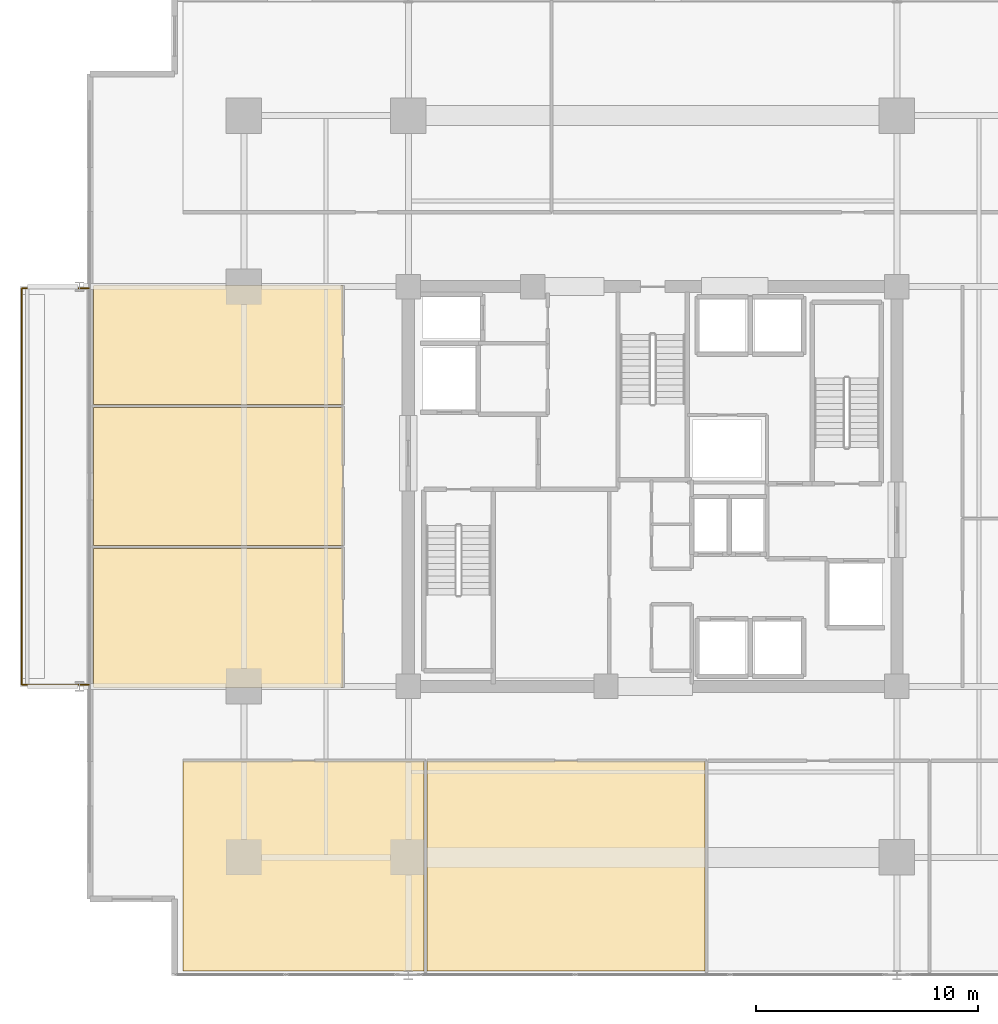
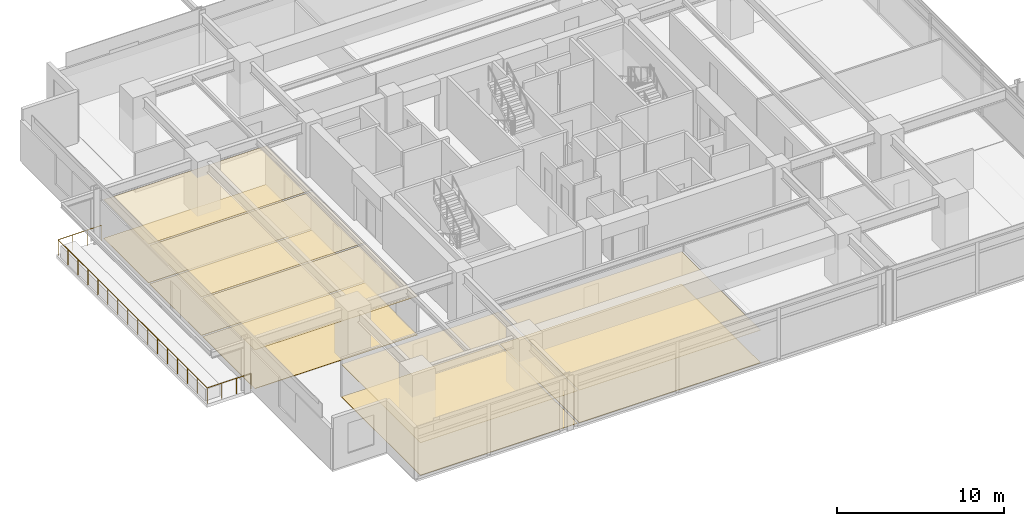
# One storey, part 17 of 20: 10 coverings, 1 railing.
"""IFC4 building model written with IfcOpenShell, lengths in metres."""

from ifc_helpers import new_model, si_unit, direction, frame, origin, origin_2d, place, context, subcontext, project, spatial, polyline, circle, outline, extrude, material, layer, layer_set, type_object, element, save


model = new_model("IFC4")

# Units and contexts
model_context = context("Model", 3, precision=1e-05, world=origin(), true_north=direction((0.0, 1.0)))
body_context = subcontext(model_context, "Body", "Model", "MODEL_VIEW")
ifc_project = project(units=[si_unit("LENGTHUNIT", "METRE"), si_unit("AREAUNIT", "SQUARE_METRE"), si_unit("VOLUMEUNIT", "CUBIC_METRE"), si_unit("PLANEANGLEUNIT", "RADIAN"), si_unit("MASSUNIT", "GRAM", prefix="KILO")], contexts=[model_context])

# Site, building, storey
site_placement = place(None, origin())
site = spatial("IfcSite", under=ifc_project, at=site_placement, CompositionType="ELEMENT")
building_placement = place(site_placement, origin())
building = spatial("IfcBuilding", under=site, at=building_placement, Name="Kovane Verandah Tower", CompositionType="ELEMENT")
storey_placement = place(building_placement, frame((0.0, 0.0, 164.39990234375)))
storey = spatial("IfcBuildingStorey", under=building, at=storey_placement, Name="L38", CompositionType="ELEMENT", Elevation=164.39990234375)

# Coverings
ifc_material_1 = material(Name="Perforated Acoustic Mineral-Fibre Ceiling Tile", Category="gypsum")
ifc_layer_1 = layer(ifc_material_1, 0.02490234375)
ifc_layer_set_1 = layer_set([ifc_layer_1], Name="Perforated Acoustic Mineral-Fibre Ceiling Tile")
covering_type_1 = type_object("IfcCoveringType", Name="CV-CEIL-25", PredefinedType="CEILING", material=ifc_layer_set_1)
covering_1_placement = place(storey_placement, frame((0.0, 0.0, 2.380126953125)))
element("IfcCovering", 1, at=covering_1_placement, inside=storey, type_object=covering_type_1, Name="L38 Collaboration Hub S1 Acoustic Ceiling", PredefinedType="CEILING", context=body_context, shape_type="SweptSolid", body=[
    extrude(outline(polyline([(18.866943359375, 5.677001953125), (29.704833984375, 5.677001953125), (29.704833984375, 15.14990234375), (18.866943359375, 15.14990234375), (18.866943359375, 5.677001953125)])), origin(), (0.0, 0.0, 1.0), 0.02490234375),
])
covering_2_placement = place(storey_placement, frame((0.0, 0.0, 2.380126953125)))
element("IfcCovering", 2, at=covering_2_placement, inside=storey, type_object=covering_type_1, Name="L38 Document and Print Room S2 Acoustic Ceiling", PredefinedType="CEILING", context=body_context, shape_type="SweptSolid", body=[
    extrude(outline(polyline([(29.8447265625, 5.677001953125), (42.357666015625, 5.677001953125), (42.357666015625, 15.14990234375), (29.8447265625, 15.14990234375), (29.8447265625, 5.677001953125)])), origin(), (0.0, 0.0, 1.0), 0.02490234375),
])
covering_3_placement = place(storey_placement, frame((0.0, 0.0, 2.8251953125)))
element("IfcCovering", 3, at=covering_3_placement, inside=storey, type_object=covering_type_1, Name="L38 Client Boardroom W1 Acoustic Ceiling", PredefinedType="CEILING", context=body_context, shape_type="SweptSolid", body=[
    extrude(outline(polyline([(14.81689453125, 18.449951171875), (26.050048828125, 18.449951171875), (26.050048828125, 24.715087890625), (14.81689453125, 24.715087890625), (14.81689453125, 18.449951171875)])), origin(), (0.0, 0.0, 1.0), 0.02490234375),
])
covering_4_placement = place(storey_placement, frame((0.0, 0.0, 2.8251953125)))
element("IfcCovering", 4, at=covering_4_placement, inside=storey, type_object=covering_type_1, Name="L38 Meeting Room W2 Acoustic Ceiling", PredefinedType="CEILING", context=body_context, shape_type="SweptSolid", body=[
    extrude(outline(polyline([(14.81689453125, 24.85498046875), (26.050048828125, 24.85498046875), (26.050048828125, 31.050048828125), (14.81689453125, 31.050048828125), (14.81689453125, 24.85498046875)])), origin(), (0.0, 0.0, 1.0), 0.02490234375),
])
covering_5_placement = place(storey_placement, frame((0.0, 0.0, 2.8251953125)))
element("IfcCovering", 5, at=covering_5_placement, inside=storey, type_object=covering_type_1, Name="L38 Focus Studio W3 Acoustic Ceiling", PredefinedType="CEILING", context=body_context, shape_type="SweptSolid", body=[
    extrude(outline(polyline([(14.81689453125, 31.18994140625), (26.050048828125, 31.18994140625), (26.050048828125, 36.550048828125), (14.81689453125, 36.550048828125), (14.81689453125, 31.18994140625)])), origin(), (0.0, 0.0, 1.0), 0.02490234375),
])
ifc_material_2 = material(Name="Polished Terrazzo and Raised-Access Carpet Tile Finish", Category="concrete")
ifc_layer_2 = layer(ifc_material_2, 0.030029296875)
ifc_layer_set_2 = layer_set([ifc_layer_2], Name="Polished Terrazzo and Raised-Access Carpet Tile Finish")
covering_type_2 = type_object("IfcCoveringType", Name="CV-FLOR-30", PredefinedType="FLOORING", material=ifc_layer_set_2)
covering_6_placement = place(storey_placement, origin())
element("IfcCovering", 6, at=covering_6_placement, inside=storey, type_object=covering_type_2, Name="L38 Collaboration Hub S1 Floor Finish", PredefinedType="FLOORING", context=body_context, shape_type="SweptSolid", body=[
    extrude(outline(polyline([(18.866943359375, 5.677001953125), (29.704833984375, 5.677001953125), (29.704833984375, 15.14990234375), (18.866943359375, 15.14990234375), (18.866943359375, 5.677001953125)])), origin(), (0.0, 0.0, 1.0), 0.030029296875),
])
covering_7_placement = place(storey_placement, origin())
element("IfcCovering", 7, at=covering_7_placement, inside=storey, type_object=covering_type_2, Name="L38 Document and Print Room S2 Floor Finish", PredefinedType="FLOORING", context=body_context, shape_type="SweptSolid", body=[
    extrude(outline(polyline([(29.8447265625, 5.677001953125), (42.357666015625, 5.677001953125), (42.357666015625, 15.14990234375), (29.8447265625, 15.14990234375), (29.8447265625, 5.677001953125)])), origin(), (0.0, 0.0, 1.0), 0.030029296875),
])
covering_8_placement = place(storey_placement, origin())
element("IfcCovering", 8, at=covering_8_placement, inside=storey, type_object=covering_type_2, Name="L38 Client Boardroom W1 Floor Finish", PredefinedType="FLOORING", context=body_context, shape_type="SweptSolid", body=[
    extrude(outline(polyline([(14.81689453125, 18.449951171875), (26.050048828125, 18.449951171875), (26.050048828125, 24.715087890625), (14.81689453125, 24.715087890625), (14.81689453125, 18.449951171875)])), origin(), (0.0, 0.0, 1.0), 0.030029296875),
])
covering_9_placement = place(storey_placement, origin())
element("IfcCovering", 9, at=covering_9_placement, inside=storey, type_object=covering_type_2, Name="L38 Meeting Room W2 Floor Finish", PredefinedType="FLOORING", context=body_context, shape_type="SweptSolid", body=[
    extrude(outline(polyline([(14.81689453125, 24.85498046875), (26.050048828125, 24.85498046875), (26.050048828125, 31.050048828125), (14.81689453125, 31.050048828125), (14.81689453125, 24.85498046875)])), origin(), (0.0, 0.0, 1.0), 0.030029296875),
])
covering_10_placement = place(storey_placement, origin())
element("IfcCovering", 10, at=covering_10_placement, inside=storey, type_object=covering_type_2, Name="L38 Focus Studio W3 Floor Finish", PredefinedType="FLOORING", context=body_context, shape_type="SweptSolid", body=[
    extrude(outline(polyline([(14.81689453125, 31.18994140625), (26.050048828125, 31.18994140625), (26.050048828125, 36.550048828125), (14.81689453125, 36.550048828125), (14.81689453125, 31.18994140625)])), origin(), (0.0, 0.0, 1.0), 0.030029296875),
])

# Railing
ifc_material_3 = material(Name="Laminated Glass and Pale-Champagne Stainless Balustrade", Category="glass")
railing_type = type_object("IfcRailingType", Name="RL-BAL-1150", PredefinedType="BALUSTRADE", material=ifc_material_3)
railing_placement = place(storey_placement, frame((14.616943359375, 18.580078125, 0.0)))
element("IfcRailing", 11, at=railing_placement, inside=storey, type_object=railing_type, Name="L38 W Verandah Glass Balustrade", PredefinedType="BALUSTRADE", context=body_context, shape_type="SweptSolid", body=[
    extrude(circle(Radius=0.02392578125, at=origin_2d()), frame((0.0, 0.0, 1.1259765625), z_axis=(-1.0, 0.0, 0.0), x_axis=(0.0, -1.0, 0.0)), (0.0, 0.0, 1.0), 3.02001953125),
    extrude(circle(Radius=0.02392578125, at=origin_2d()), frame((-3.02001953125, 0.0, 1.1259765625), z_axis=(0.0, 1.0, 0.0), x_axis=(-1.0, 0.0, 0.0)), (0.0, 0.0, 1.0), 17.83984375),
    extrude(circle(Radius=0.02392578125, at=origin_2d()), frame((-3.02001953125, 17.83984375, 1.1259765625), z_axis=(1.0, 0.0, 0.0), x_axis=(0.0, 1.0, 0.0)), (0.0, 0.0, 1.0), 3.02001953125),
    extrude(circle(Radius=0.02099609375, at=origin_2d()), origin(), (0.0, 0.0, 1.0), 1.101806640625),
    extrude(circle(Radius=0.02099609375, at=origin_2d()), frame((-1.006591796875, 0.0, 0.0)), (0.0, 0.0, 1.0), 1.101806640625),
    extrude(circle(Radius=0.02099609375, at=origin_2d()), frame((-2.013427734375, 0.0, 0.0)), (0.0, 0.0, 1.0), 1.101806640625),
    extrude(circle(Radius=0.02099609375, at=origin_2d()), frame((-3.02001953125, 0.0, 0.0)), (0.0, 0.0, 1.0), 1.101806640625),
    extrude(circle(Radius=0.02099609375, at=origin_2d()), frame((-3.02001953125, 1.189208984375, 0.0)), (0.0, 0.0, 1.0), 1.101806640625),
    extrude(circle(Radius=0.02099609375, at=origin_2d()), frame((-3.02001953125, 2.378662109375, 0.0)), (0.0, 0.0, 1.0), 1.101806640625),
    extrude(circle(Radius=0.02099609375, at=origin_2d()), frame((-3.02001953125, 3.56787109375, 0.0)), (0.0, 0.0, 1.0), 1.101806640625),
    extrude(circle(Radius=0.02099609375, at=origin_2d()), frame((-3.02001953125, 4.75732421875, 0.0)), (0.0, 0.0, 1.0), 1.101806640625),
    extrude(circle(Radius=0.02099609375, at=origin_2d()), frame((-3.02001953125, 5.946533203125, 0.0)), (0.0, 0.0, 1.0), 1.101806640625),
    extrude(circle(Radius=0.02099609375, at=origin_2d()), frame((-3.02001953125, 7.135986328125, 0.0)), (0.0, 0.0, 1.0), 1.101806640625),
    extrude(circle(Radius=0.02099609375, at=origin_2d()), frame((-3.02001953125, 8.3251953125, 0.0)), (0.0, 0.0, 1.0), 1.101806640625),
    extrude(circle(Radius=0.02099609375, at=origin_2d()), frame((-3.02001953125, 9.5146484375, 0.0)), (0.0, 0.0, 1.0), 1.101806640625),
    extrude(circle(Radius=0.02099609375, at=origin_2d()), frame((-3.02001953125, 10.703857421875, 0.0)), (0.0, 0.0, 1.0), 1.101806640625),
    extrude(circle(Radius=0.02099609375, at=origin_2d()), frame((-3.02001953125, 11.893310546875, 0.0)), (0.0, 0.0, 1.0), 1.101806640625),
    extrude(circle(Radius=0.02099609375, at=origin_2d()), frame((-3.02001953125, 13.08251953125, 0.0)), (0.0, 0.0, 1.0), 1.101806640625),
    extrude(circle(Radius=0.02099609375, at=origin_2d()), frame((-3.02001953125, 14.27197265625, 0.0)), (0.0, 0.0, 1.0), 1.101806640625),
    extrude(circle(Radius=0.02099609375, at=origin_2d()), frame((-3.02001953125, 15.461181640625, 0.0)), (0.0, 0.0, 1.0), 1.101806640625),
    extrude(circle(Radius=0.02099609375, at=origin_2d()), frame((-3.02001953125, 16.650634765625, 0.0)), (0.0, 0.0, 1.0), 1.101806640625),
    extrude(circle(Radius=0.02099609375, at=origin_2d()), frame((-3.02001953125, 17.83984375, 0.0)), (0.0, 0.0, 1.0), 1.101806640625),
    extrude(circle(Radius=0.02099609375, at=origin_2d()), frame((-2.013427734375, 17.83984375, 0.0)), (0.0, 0.0, 1.0), 1.101806640625),
    extrude(circle(Radius=0.02099609375, at=origin_2d()), frame((-1.006591796875, 17.83984375, 0.0)), (0.0, 0.0, 1.0), 1.101806640625),
    extrude(circle(Radius=0.02099609375, at=origin_2d()), frame((0.0, 17.83984375, 0.0)), (0.0, 0.0, 1.0), 1.101806640625),
])

save(model, "model.ifc")
